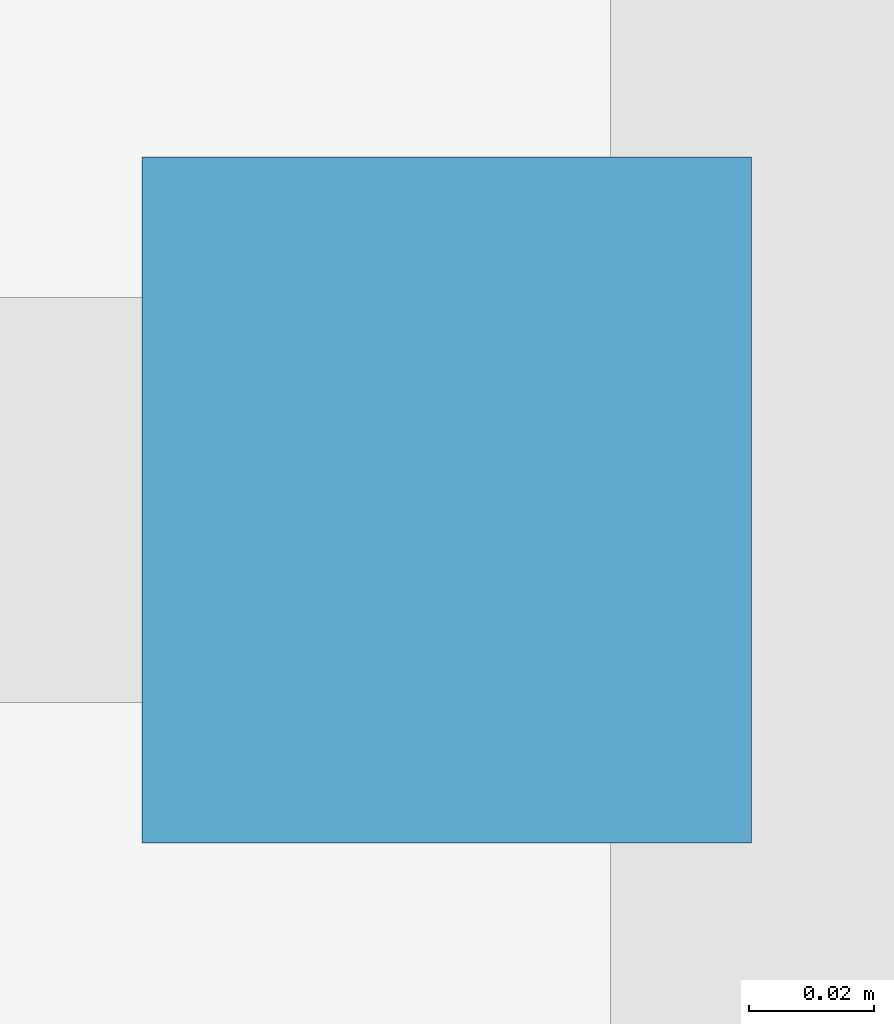
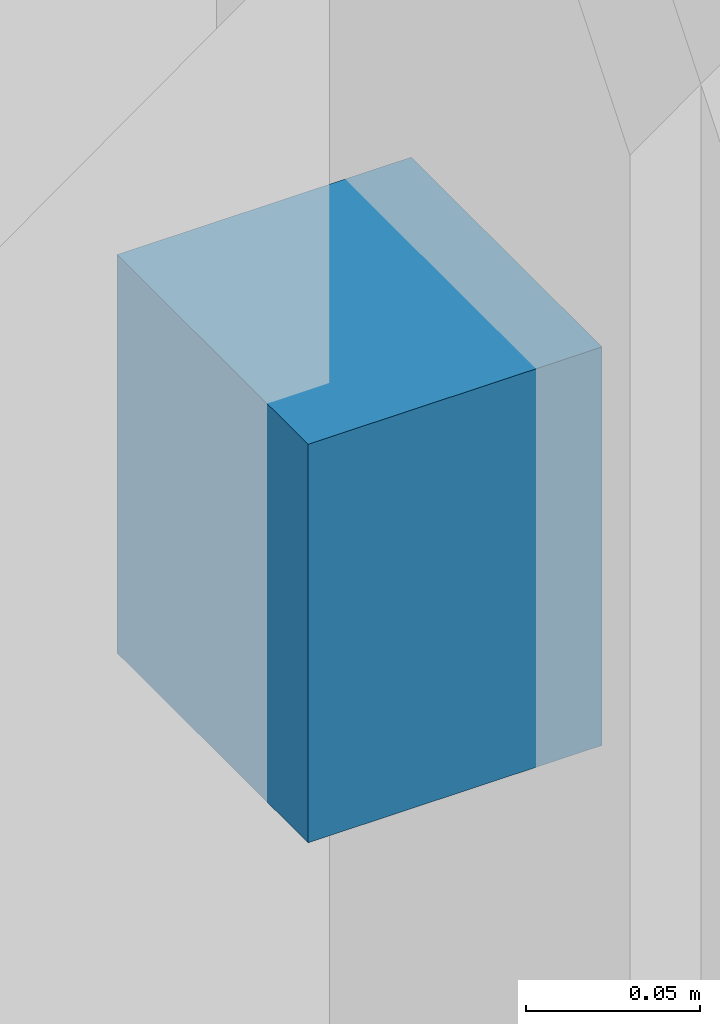
# One storey, part 16 of 28: 1 discrete accessory.
"""IFC4 building model written with IfcOpenShell, lengths in metres."""

from ifc_helpers import new_model, si_unit, direction, frame, origin, place, context, subcontext, project, spatial, polyline, outline, extrude, material, type_object, element, save


model = new_model("IFC4")

# Units and contexts
model_context = context("Model", 3, precision=1e-05, world=origin(), true_north=direction((0.0, 1.0)))
body_context = subcontext(model_context, "Body", "Model", "MODEL_VIEW")
ifc_project = project(units=[si_unit("LENGTHUNIT", "METRE"), si_unit("AREAUNIT", "SQUARE_METRE"), si_unit("VOLUMEUNIT", "CUBIC_METRE"), si_unit("PLANEANGLEUNIT", "RADIAN"), si_unit("MASSUNIT", "GRAM", prefix="KILO")], contexts=[model_context])

# Site, building, storey
site_placement = place(None, origin())
site = spatial("IfcSite", under=ifc_project, at=site_placement, CompositionType="ELEMENT")
building_placement = place(site_placement, origin())
building = spatial("IfcBuilding", under=site, at=building_placement, Name="Qalmaran Belvedere Hotel", CompositionType="ELEMENT")
storey_placement = place(building_placement, frame((0.0, 0.0, 10.0)))
storey = spatial("IfcBuildingStorey", under=building, at=storey_placement, Name="L02", CompositionType="ELEMENT", Elevation=10.0)

# Discrete accessory
ifc_material = material(Name="Stainless Steel 1.4401", Category="steel")
discrete_accessory_type = type_object("IfcDiscreteAccessoryType", Name="BRK-FIN-SS316", PredefinedType="BRACKET", material=ifc_material)
discrete_accessory_placement = place(storey_placement, frame((0.0, 0.0, 2.10009765625)))
element("IfcDiscreteAccessory", 1, at=discrete_accessory_placement, inside=storey, type_object=discrete_accessory_type, Name="L02 Fin Bracket 1", PredefinedType="BRACKET", context=body_context, shape_type="SweptSolid", body=[
    extrude(outline(polyline([(0.705078125, 41.824951171875), (0.607421875, 41.824951171875), (0.607421875, 41.715087890625), (0.705078125, 41.715087890625), (0.705078125, 41.824951171875)])), origin(), (0.0, 0.0, 1.0), 0.139892578125),
])

save(model, "model.ifc")
